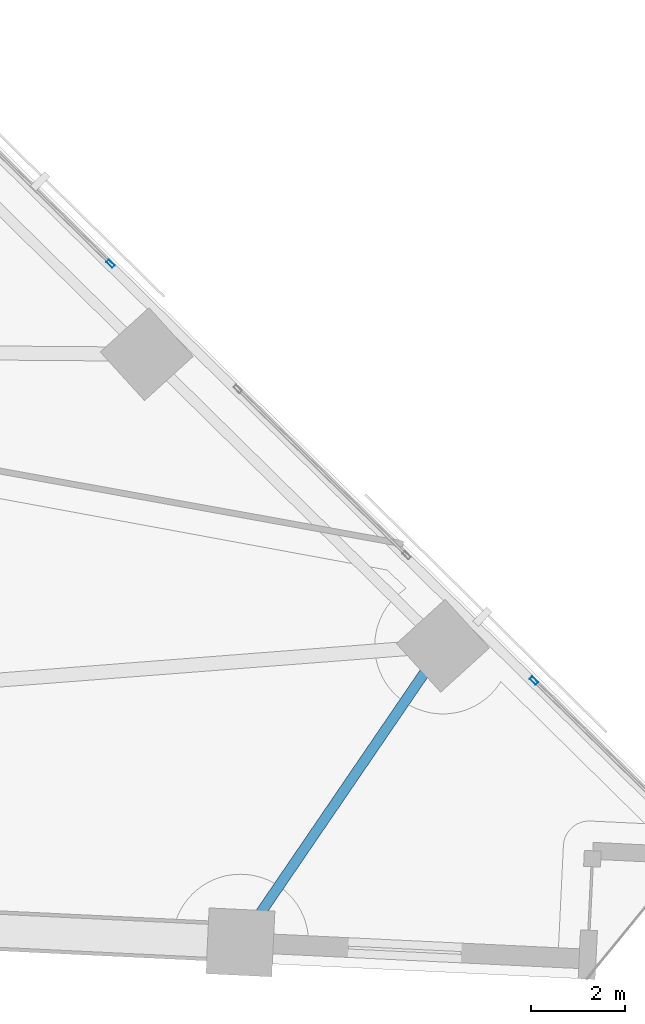
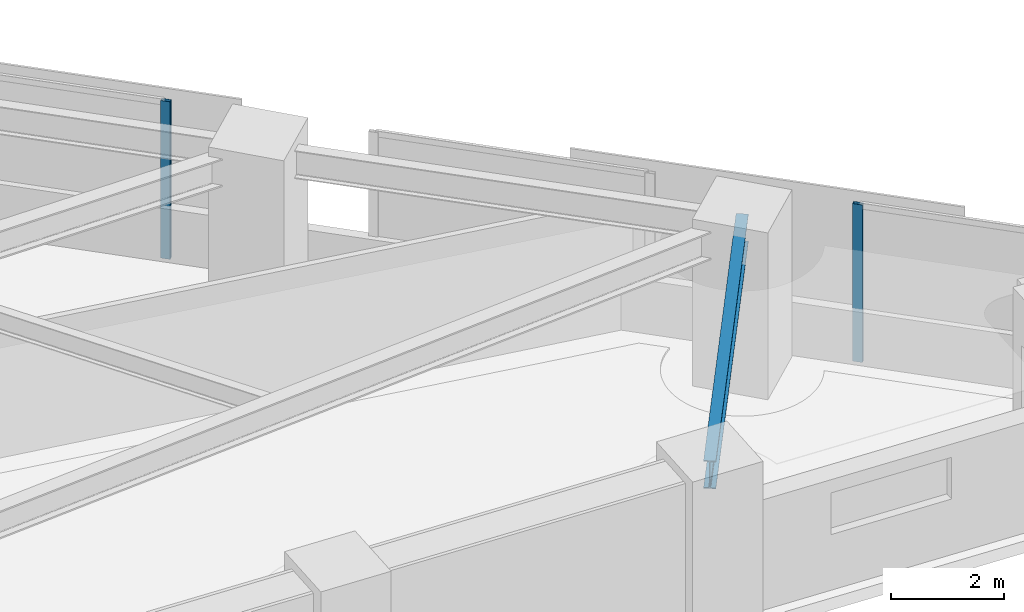
# One storey, part 4 of 17: 2 members, 1 beam, 2 elements without a shape of their own.
"""IFC4 building model written with IfcOpenShell, lengths in metres."""

import ifcopenshell
import ifcopenshell.guid

model = None  # the IFC model being written
_history = None  # IfcOwnerHistory: only IFC2X3 demands one
_inside = {}  # id of a spatial element -> (the spatial element, [elements in it])
_under = {}  # id of a project, library or spatial element -> (it, [spatial elements below it])
_declared = {}  # id of a project -> (the project, [libraries it declares])
_typed = {}  # id of a type object -> (the type object, [elements of that type])
_made_of = {}  # id of a material, layer set ... -> (it, [elements and type objects made of it])


def new_model(schema):
    """Start an empty IFC model of exactly this schema.

    Asked for "IFC4X3", IfcOpenShell would pick the latest addendum, in which some entities
    have other attributes; the version numbers below select the first issue.
    IFC2X3 requires an IfcOwnerHistory on every rooted entity: one is made here for all.
    """
    global model, _history
    if schema == "IFC4X3":
        model = ifcopenshell.file(schema_version=(4, 3, 0, 0))
    else:
        model = ifcopenshell.file(schema=schema)
    _inside.clear()
    _under.clear()
    _declared.clear()
    _typed.clear()
    _made_of.clear()
    _history = None
    if model.schema == "IFC2X3":
        org = make("IfcOrganization", Name="unknown")
        user = make(
            "IfcPersonAndOrganization",
            ThePerson=make("IfcPerson", FamilyName="unknown"),
            TheOrganization=org,
        )
        app = make(
            "IfcApplication",
            ApplicationDeveloper=org,
            Version="unknown",
            ApplicationFullName="unknown",
            ApplicationIdentifier="unknown",
        )
        _history = make(
            "IfcOwnerHistory",
            OwningUser=user,
            OwningApplication=app,
            ChangeAction="ADDED",
            CreationDate=0,
        )
    return model


def make(cls, **values):
    """One entity of the class cls with the attributes given. An attribute that is None is left unset."""
    return model.create_entity(
        cls, **{name: value for name, value in values.items() if value is not None}
    )


def rooted(cls, **values):
    """An entity with a GlobalId (a new one), such as an element, a storey or a relation."""
    return make(cls, GlobalId=ifcopenshell.guid.new(), OwnerHistory=_history, **values)


def si_unit(unit_type, name, prefix=None):
    """IfcSIUnit, for example si_unit("LENGTHUNIT", "METRE", prefix="MILLI")."""
    return make("IfcSIUnit", UnitType=unit_type, Prefix=prefix, Name=name)


def assignment(units):
    """IfcUnitAssignment: the units of a project."""
    return None if units is None else make("IfcUnitAssignment", Units=units)


def point(xyz):
    """IfcCartesianPoint."""
    return None if xyz is None else make("IfcCartesianPoint", Coordinates=xyz)


def direction(xyz):
    """IfcDirection."""
    return None if xyz is None else make("IfcDirection", DirectionRatios=xyz)


def frame(location, z_axis=None, x_axis=None):
    """IfcAxis2Placement3D, a coordinate frame: its origin and axes. An axis left out is left unset."""
    return make(
        "IfcAxis2Placement3D",
        Location=point(location),
        Axis=direction(z_axis),
        RefDirection=direction(x_axis),
    )


def frame_2d(location, x_axis=None):
    """IfcAxis2Placement2D, a coordinate frame in the plane: its origin and x axis."""
    return make(
        "IfcAxis2Placement2D", Location=point(location), RefDirection=direction(x_axis)
    )


def origin():
    """The frame at (0, 0, 0) with its axes left unset."""
    return frame((0.0, 0.0, 0.0))


def origin_2d():
    """The frame at (0, 0) in the plane with its x axis left unset."""
    return frame_2d((0.0, 0.0))


def place(relative_to, where):
    """IfcLocalPlacement: puts the frame where relative to a parent placement (None: the world)."""
    return make(
        "IfcLocalPlacement", PlacementRelTo=relative_to, RelativePlacement=where
    )


def context(
    kind, dimensions, precision=None, world=None, true_north=None, identifier=None
):
    """IfcGeometricRepresentationContext, for example the 3D "Model" context."""
    return make(
        "IfcGeometricRepresentationContext",
        ContextIdentifier=identifier,
        ContextType=kind,
        CoordinateSpaceDimension=dimensions,
        Precision=precision,
        WorldCoordinateSystem=world,
        TrueNorth=true_north,
    )


def subcontext(parent, identifier, kind, view, scale=None):
    """IfcGeometricRepresentationSubContext, for example "Body" below "Model"."""
    return make(
        "IfcGeometricRepresentationSubContext",
        ContextIdentifier=identifier,
        ContextType=kind,
        ParentContext=parent,
        TargetScale=scale,
        TargetView=view,
    )


def project(units=None, contexts=None):
    """IfcProject with its units and contexts."""
    return rooted(
        "IfcProject",
        Name="project",
        RepresentationContexts=contexts,
        UnitsInContext=assignment(units),
    )


def spatial(cls, under=None, at=None, **own):
    """A site, building, storey or space (cls), placed at a placement, below another one or the project."""
    s = rooted(cls, ObjectPlacement=at, **own)
    if under is not None:
        _under.setdefault(under.id(), (under, []))[1].append(s)
    return s


def profile(cls, at=None, kind="AREA", **sizes):
    """A parametric profile (cls). Its sizes go by their IFC names, for example OverallWidth=200.0."""
    return make(cls, ProfileType=kind, Position=at, **sizes)


def hollow_rectangle(**sizes):
    """IfcRectangleHollowProfileDef."""
    return profile("IfcRectangleHollowProfileDef", **sizes)


def i_section(**sizes):
    """IfcIShapeProfileDef."""
    return profile("IfcIShapeProfileDef", **sizes)


def extrude(swept, where, along, depth):
    """IfcExtrudedAreaSolid: the profile swept, set in the frame where, extruded along a direction by depth."""
    return make(
        "IfcExtrudedAreaSolid",
        SweptArea=swept,
        Position=where,
        ExtrudedDirection=direction(along),
        Depth=depth,
    )


def shape(context_of_items, identifier, shape_type, items):
    """IfcShapeRepresentation: the items that make up one representation, for example the "Body"."""
    return make(
        "IfcShapeRepresentation",
        ContextOfItems=context_of_items,
        RepresentationIdentifier=identifier,
        RepresentationType=shape_type,
        Items=items,
    )


def material(Name=None, Category=None):
    """IfcMaterial."""
    return make("IfcMaterial", Name=Name, Category=Category)


def material_profile(
    of_material, cross_section, Name=None, Category=None, Priority=None
):
    """IfcMaterialProfile: a cross section and its material."""
    return make(
        "IfcMaterialProfile",
        Name=Name,
        Material=of_material,
        Profile=cross_section,
        Priority=Priority,
        Category=Category,
    )


def profile_set(profiles, Name=None, composite=None):
    """IfcMaterialProfileSet."""
    return make(
        "IfcMaterialProfileSet",
        Name=Name,
        MaterialProfiles=profiles,
        CompositeProfile=composite,
    )


def made_of(thing, what):
    """Note that an element or type object is made of a material, layer set ...; save() writes the relation."""
    if what is not None:
        _made_of.setdefault(what.id(), (what, []))[1].append(thing)
    return thing


def type_object(cls, material=None, **own):
    """A type object (cls), such as IfcWallType, which elements share."""
    return made_of(rooted(cls, **own), material)


def element(
    cls,
    number,
    at=None,
    inside=None,
    cuts=None,
    type_object=None,
    material=None,
    context=None,
    identifier="Body",
    shape_type=None,
    held_by="IfcProductDefinitionShape",
    body=None,
    shapes=None,
    **own,
):
    """One element of the class cls, such as IfcWall. Its Tag is "e" and its number.

    at: its placement. inside: the storey or other place that contains it. cuts: it is an
    opening in that element (IfcRelVoidsElement). A single representation is given by context,
    identifier, shape_type and body (its items); several are given by shapes. held_by: the class
    of the entity that holds the representations. save() writes the other relations.
    """
    e = rooted(cls, Tag="e%d" % number, ObjectPlacement=at, **own)
    if body is not None:
        shapes = [shape(context, identifier, shape_type, body)]
    if shapes is not None:
        e.Representation = make(held_by, Representations=shapes)
    if inside is not None:
        _inside.setdefault(inside.id(), (inside, []))[1].append(e)
    if cuts is not None:
        rooted(
            "IfcRelVoidsElement", RelatingBuildingElement=cuts, RelatedOpeningElement=e
        )
    if type_object is not None:
        _typed.setdefault(type_object.id(), (type_object, []))[1].append(e)
    return made_of(e, material)


def aggregate(whole, parts):
    """IfcRelAggregates: a whole, such as a stair, and the parts it consists of."""
    return rooted("IfcRelAggregates", RelatingObject=whole, RelatedObjects=parts)


def save(model, path):
    """Write the relations noted so far, then the file.

    IfcRelAggregates (storeys below a building ...), IfcRelContainedInSpatialStructure (elements
    in a storey), IfcRelDefinesByType, IfcRelAssociatesMaterial and IfcRelDeclares: one each for
    every whole, place, type object, material and project.
    """
    for whole, parts in _under.values():
        aggregate(whole, parts)
    for where, things in _inside.values():
        rooted(
            "IfcRelContainedInSpatialStructure",
            RelatedElements=things,
            RelatingStructure=where,
        )
    for kind, things in _typed.values():
        rooted("IfcRelDefinesByType", RelatedObjects=things, RelatingType=kind)
    for what, things in _made_of.values():
        rooted("IfcRelAssociatesMaterial", RelatedObjects=things, RelatingMaterial=what)
    for by, libraries in _declared.values():
        rooted("IfcRelDeclares", RelatingContext=by, RelatedDefinitions=libraries)
    model.write(path)


model = new_model("IFC4")

# Units and contexts
model_context = context("Model", 3, precision=1e-05, world=origin(), true_north=direction((0.0, 1.0)))
body_context = subcontext(model_context, "Body", "Model", "MODEL_VIEW")
ifc_project = project(units=[si_unit("LENGTHUNIT", "METRE"), si_unit("AREAUNIT", "SQUARE_METRE"), si_unit("VOLUMEUNIT", "CUBIC_METRE"), si_unit("PLANEANGLEUNIT", "RADIAN"), si_unit("MASSUNIT", "GRAM", prefix="KILO")], contexts=[model_context])

# Site, building, storey
site_placement = place(None, origin())
site = spatial("IfcSite", under=ifc_project, at=site_placement, CompositionType="ELEMENT")
building_placement = place(site_placement, origin())
building = spatial("IfcBuilding", under=site, at=building_placement, Name="Narakoshi Arena Tower", CompositionType="ELEMENT")
storey_placement = place(building_placement, frame((0.0, 0.0, 37.5)))
storey = spatial("IfcBuildingStorey", under=building, at=storey_placement, Name="L09", CompositionType="ELEMENT", Elevation=37.5)

# Beam
ifc_material_1 = material(Name="Structural steel S355J2", Category="steel")
ifc_material_profile_1 = material_profile(ifc_material_1, i_section(OverallWidth=0.219970703125, OverallDepth=0.60009765625, WebThickness=0.011962890625, FlangeThickness=0.01904296875, FilletRadius=0.02392578125, at=origin_2d()), Name="IPE600")
ifc_profile_set_1 = profile_set([ifc_material_profile_1], Name="Structural steel S355J2")
beam_type = type_object("IfcBeamType", Name="BM-EDGE-600", PredefinedType="BEAM", material=ifc_profile_set_1)
beam_placement = place(storey_placement, frame((110.636474609375, 30.661865234375, 3.10009765625), z_axis=(0.563755333308, 0.825941840668, 0.0), x_axis=(-0.825941840668, 0.563755333308, 0.0)))
element("IfcBeam", 1, at=beam_placement, inside=storey, type_object=beam_type, Name="L09 Perimeter Edge Girder 04", PredefinedType="BEAM", context=body_context, shape_type="SweptSolid", body=[
    extrude(i_section(OverallWidth=0.219970703125, OverallDepth=0.60009765625, WebThickness=0.011962890625, FlangeThickness=0.01904296875, FilletRadius=0.02392578125, at=origin_2d()), origin(), (0.0, 0.0, 1.0), 7.637451171875),
])

# Curtain wall, member
ifc_material_2 = material(Name="Anodised bronze aluminium 6063-T6", Category="aluminium")
curtain_wall_type = type_object("IfcCurtainWallType", Name="CW-HYP-LOW", PredefinedType="NOTDEFINED", material=ifc_material_2)
curtain_wall_1_placement = place(storey_placement, origin())
curtain_wall_1 = element("IfcCurtainWall", 2, at=curtain_wall_1_placement, inside=storey, type_object=curtain_wall_type, Name="L09 Folded Hypotenuse Curtain Wall 1-1", PredefinedType="NOTDEFINED")
ifc_material_profile_2 = material_profile(ifc_material_2, hollow_rectangle(XDim=0.074951171875, YDim=0.179931640625, WallThickness=0.00390625, OuterFilletRadius=0.0048828125, at=origin_2d()), Name="MUL180x75x4")
ifc_profile_set_2 = profile_set([ifc_material_profile_2], Name="Anodised bronze aluminium 6063-T6")
member_type = type_object("IfcMemberType", Name="MEM-MUL-180", PredefinedType="MULLION", material=ifc_profile_set_2)
member_1_placement = place(storey_placement, frame((116.87744140625, 36.229248046875, 0.0), z_axis=(0.0, 0.0, 1.0), x_axis=(-0.701630192894, -0.712541277695, 0.0)))
member_1 = element("IfcMember", 3, at=member_1_placement, type_object=member_type, Name="CW-01 mullion 2", PredefinedType="MULLION", context=body_context, shape_type="SweptSolid", body=[
    extrude(hollow_rectangle(XDim=0.074951171875, YDim=0.179931640625, WallThickness=0.00390625, OuterFilletRadius=0.0048828125, at=origin_2d()), origin(), (0.0, 0.0, 1.0), 3.39990234375),
])
aggregate(curtain_wall_1, [member_1])

curtain_wall_2_placement = place(storey_placement, origin())
curtain_wall_2 = element("IfcCurtainWall", 4, at=curtain_wall_2_placement, inside=storey, type_object=curtain_wall_type, Name="L09 Folded Hypotenuse Curtain Wall 1-3", PredefinedType="NOTDEFINED")
member_2_placement = place(storey_placement, frame((107.872802734375, 45.095947265625, 0.0), z_axis=(0.0, 0.0, 1.0), x_axis=(-0.701632802488, -0.712538708053, 0.0)))
member_2 = element("IfcMember", 5, at=member_2_placement, type_object=member_type, Name="CW-01 mullion 1", PredefinedType="MULLION", context=body_context, shape_type="SweptSolid", body=[
    extrude(hollow_rectangle(XDim=0.074951171875, YDim=0.179931640625, WallThickness=0.00390625, OuterFilletRadius=0.0048828125, at=origin_2d()), origin(), (0.0, 0.0, 1.0), 3.39990234375),
])
aggregate(curtain_wall_2, [member_2])

save(model, "model.ifc")
